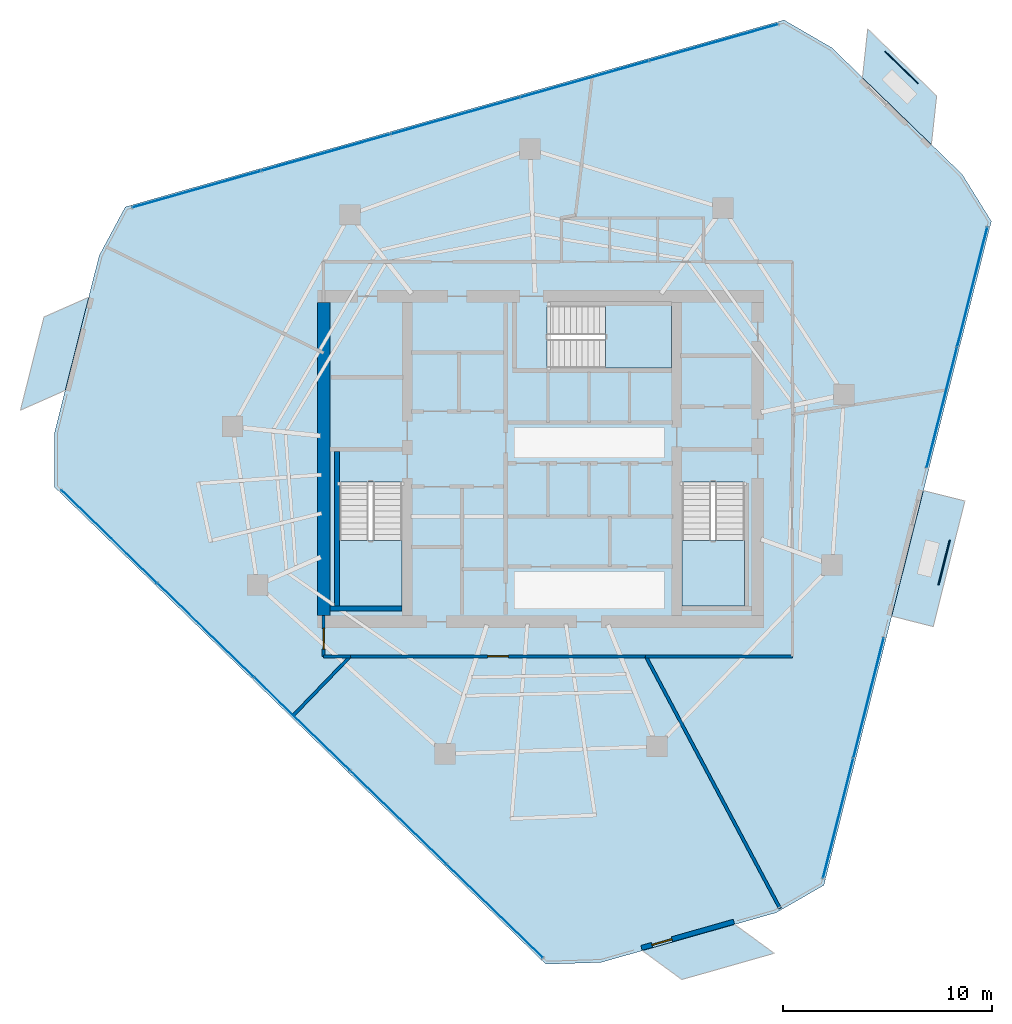
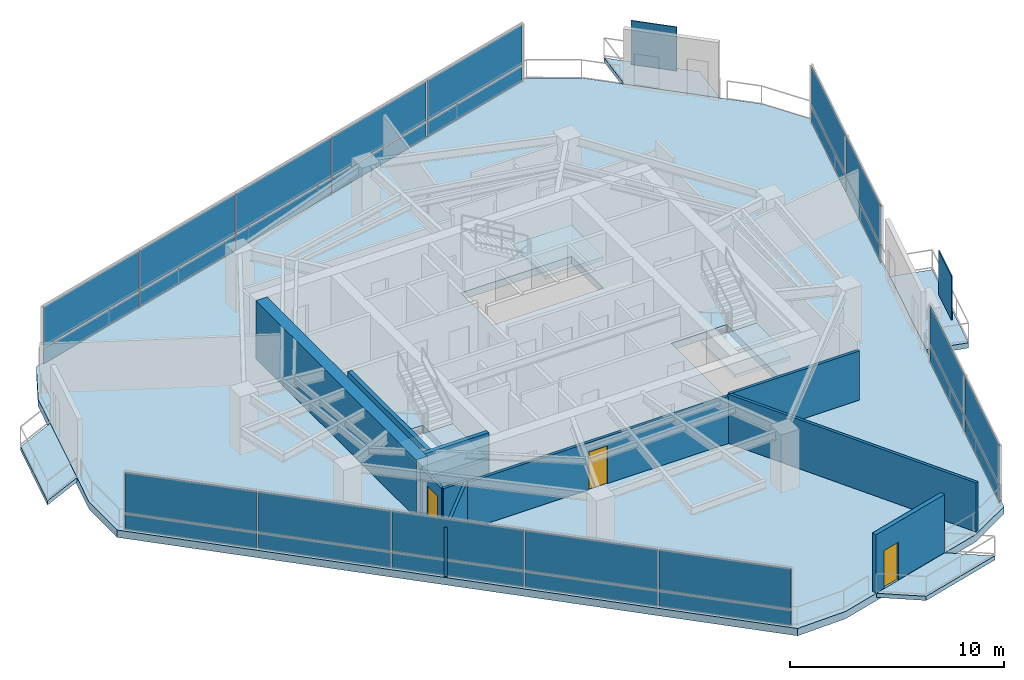
# One storey, part 14 of 19: 30 plates, 10 walls, 8 slabs, 3 doors, 3 openings, 7 elements without a shape of their own.
"""IFC4 building model written with IfcOpenShell, lengths in metres."""

from ifc_helpers import new_model, si_unit, direction, frame, frame_2d, origin, origin_2d, place, context, subcontext, project, spatial, polyline, rectangle, outline, extrude, material, layer, layer_set, type_object, element, fill, aggregate, save


model = new_model("IFC4")

# Units and contexts
model_context = context("Model", 3, precision=1e-05, world=origin(), true_north=direction((0.0, 1.0)))
body_context = subcontext(model_context, "Body", "Model", "MODEL_VIEW")
ifc_project = project(units=[si_unit("LENGTHUNIT", "METRE"), si_unit("AREAUNIT", "SQUARE_METRE"), si_unit("VOLUMEUNIT", "CUBIC_METRE"), si_unit("PLANEANGLEUNIT", "RADIAN"), si_unit("MASSUNIT", "GRAM", prefix="KILO")], contexts=[model_context])

# Site, building, storey
site_placement = place(None, origin())
site = spatial("IfcSite", under=ifc_project, at=site_placement, CompositionType="ELEMENT")
building_placement = place(site_placement, origin())
building = spatial("IfcBuilding", under=site, at=building_placement, Name="Qarnah Convention Tower", CompositionType="ELEMENT")
storey_placement = place(building_placement, frame((0.0, 0.0, 125.699951171875)))
storey = spatial("IfcBuildingStorey", under=building, at=storey_placement, Name="L33", CompositionType="ELEMENT", Elevation=125.699951171875)

# Curtain wall, plates
ifc_material_1 = material(Name="Tempered Low-E dark glass", Category="glass")
ifc_layer_1 = layer(ifc_material_1, 0.172119140625)
ifc_layer_set_1 = layer_set([ifc_layer_1], Name="Tempered Low-E dark glass")
curtain_wall_type = type_object("IfcCurtainWallType", Name="CWS-03", PredefinedType="NOTDEFINED", material=ifc_layer_set_1)
curtain_wall_1_placement = place(storey_placement, origin())
curtain_wall_1 = element("IfcCurtainWall", 1, at=curtain_wall_1_placement, inside=storey, type_object=curtain_wall_type, Name="L33 unitised curtain wall CW-L33-F1", PredefinedType="NOTDEFINED")
ifc_layer_2 = layer(ifc_material_1, 0.031982421875)
ifc_layer_set_2 = layer_set([ifc_layer_2], Name="Tempered Low-E dark glass")
plate_type_1 = type_object("IfcPlateType", Name="PNL-T3", PredefinedType="CURTAIN_PANEL", material=ifc_layer_set_2)
plate_1_placement = place(storey_placement, frame((34.996337890625, 4.743896484375, 0.0400390625), z_axis=(0.0, 0.0, 1.0), x_axis=(-0.717389813993, 0.696671985068, 0.0)))
plate_1 = element("IfcPlate", 2, at=plate_1_placement, type_object=plate_type_1, Name="CW-L33-F1 curtain panel 1.1", PredefinedType="CURTAIN_PANEL", context=body_context, shape_type="SweptSolid", body=[
    extrude(rectangle(XDim=6.35888671875, YDim=0.031982421875, at=origin_2d()), origin(), (0.0, 0.0, 1.0), 0.8701171875),
])
plate_2_placement = place(storey_placement, frame((34.996337890625, 4.743896484375, 0.989990234375), z_axis=(0.0, 0.0, 1.0), x_axis=(-0.717389813993, 0.696671985068, 0.0)))
plate_2 = element("IfcPlate", 3, at=plate_2_placement, type_object=plate_type_1, Name="CW-L33-F1 curtain panel 1.2", PredefinedType="CURTAIN_PANEL", context=body_context, shape_type="SweptSolid", body=[
    extrude(rectangle(XDim=6.35888671875, YDim=0.031982421875, at=origin_2d()), origin(), (0.0, 0.0, 1.0), 2.2900390625),
])
plate_3_placement = place(storey_placement, frame((30.377197265625, 9.229736328125, 0.0400390625), z_axis=(0.0, 0.0, 1.0), x_axis=(-0.717389813993, 0.696671985068, 0.0)))
plate_3 = element("IfcPlate", 4, at=plate_3_placement, type_object=plate_type_1, Name="CW-L33-F1 curtain panel 2.1", PredefinedType="CURTAIN_PANEL", context=body_context, shape_type="SweptSolid", body=[
    extrude(rectangle(XDim=6.35888671875, YDim=0.031982421875, at=origin_2d()), origin(), (0.0, 0.0, 1.0), 0.8701171875),
])
plate_4_placement = place(storey_placement, frame((30.377197265625, 9.229736328125, 0.989990234375), z_axis=(0.0, 0.0, 1.0), x_axis=(-0.717389813993, 0.696671985068, 0.0)))
plate_4 = element("IfcPlate", 5, at=plate_4_placement, type_object=plate_type_1, Name="CW-L33-F1 curtain panel 2.2", PredefinedType="CURTAIN_PANEL", context=body_context, shape_type="SweptSolid", body=[
    extrude(rectangle(XDim=6.35888671875, YDim=0.031982421875, at=origin_2d()), origin(), (0.0, 0.0, 1.0), 2.2900390625),
])
plate_5_placement = place(storey_placement, frame((25.758056640625, 13.715576171875, 0.0400390625), z_axis=(0.0, 0.0, 1.0), x_axis=(-0.717389813993, 0.696671985068, 0.0)))
plate_5 = element("IfcPlate", 6, at=plate_5_placement, type_object=plate_type_1, Name="CW-L33-F1 curtain panel 3.1", PredefinedType="CURTAIN_PANEL", context=body_context, shape_type="SweptSolid", body=[
    extrude(rectangle(XDim=6.35888671875, YDim=0.031982421875, at=origin_2d()), origin(), (0.0, 0.0, 1.0), 0.8701171875),
])
plate_6_placement = place(storey_placement, frame((25.758056640625, 13.715576171875, 0.989990234375), z_axis=(0.0, 0.0, 1.0), x_axis=(-0.717389813993, 0.696671985068, 0.0)))
plate_6 = element("IfcPlate", 7, at=plate_6_placement, type_object=plate_type_1, Name="CW-L33-F1 curtain panel 3.2", PredefinedType="CURTAIN_PANEL", context=body_context, shape_type="SweptSolid", body=[
    extrude(rectangle(XDim=6.35888671875, YDim=0.031982421875, at=origin_2d()), origin(), (0.0, 0.0, 1.0), 2.2900390625),
])
plate_7_placement = place(storey_placement, frame((21.138916015625, 18.201416015625, 0.0400390625), z_axis=(0.0, 0.0, 1.0), x_axis=(-0.717389813993, 0.696671985068, 0.0)))
plate_7 = element("IfcPlate", 8, at=plate_7_placement, type_object=plate_type_1, Name="CW-L33-F1 curtain panel 4.1", PredefinedType="CURTAIN_PANEL", context=body_context, shape_type="SweptSolid", body=[
    extrude(rectangle(XDim=6.35888671875, YDim=0.031982421875, at=origin_2d()), origin(), (0.0, 0.0, 1.0), 0.8701171875),
])
plate_8_placement = place(storey_placement, frame((21.138916015625, 18.201416015625, 0.989990234375), z_axis=(0.0, 0.0, 1.0), x_axis=(-0.717389813993, 0.696671985068, 0.0)))
plate_8 = element("IfcPlate", 9, at=plate_8_placement, type_object=plate_type_1, Name="CW-L33-F1 curtain panel 4.2", PredefinedType="CURTAIN_PANEL", context=body_context, shape_type="SweptSolid", body=[
    extrude(rectangle(XDim=6.35888671875, YDim=0.031982421875, at=origin_2d()), origin(), (0.0, 0.0, 1.0), 2.2900390625),
])
plate_9_placement = place(storey_placement, frame((16.51953125, 22.68701171875, 0.0400390625), z_axis=(0.0, 0.0, 1.0), x_axis=(-0.717389813993, 0.696671985068, 0.0)))
plate_9 = element("IfcPlate", 10, at=plate_9_placement, type_object=plate_type_1, Name="CW-L33-F1 curtain panel 5.1", PredefinedType="CURTAIN_PANEL", context=body_context, shape_type="SweptSolid", body=[
    extrude(rectangle(XDim=6.35888671875, YDim=0.031982421875, at=origin_2d()), origin(), (0.0, 0.0, 1.0), 0.8701171875),
])
plate_10_placement = place(storey_placement, frame((16.51953125, 22.68701171875, 0.989990234375), z_axis=(0.0, 0.0, 1.0), x_axis=(-0.717389813993, 0.696671985068, 0.0)))
plate_10 = element("IfcPlate", 11, at=plate_10_placement, type_object=plate_type_1, Name="CW-L33-F1 curtain panel 5.2", PredefinedType="CURTAIN_PANEL", context=body_context, shape_type="SweptSolid", body=[
    extrude(rectangle(XDim=6.35888671875, YDim=0.031982421875, at=origin_2d()), origin(), (0.0, 0.0, 1.0), 2.2900390625),
])
aggregate(curtain_wall_1, [plate_1, plate_2, plate_3, plate_4, plate_5, plate_6, plate_7, plate_8, plate_9, plate_10])

curtain_wall_2_placement = place(storey_placement, origin())
curtain_wall_2 = element("IfcCurtainWall", 12, at=curtain_wall_2_placement, inside=storey, type_object=curtain_wall_type, Name="L33 unitised curtain wall CW-L33-F2", PredefinedType="NOTDEFINED")
plate_11_placement = place(storey_placement, frame((57.85986328125, 34.63427734375, 0.0400390625), z_axis=(0.0, 0.0, 1.0), x_axis=(-0.24460965951, -0.969621634698, 0.0)))
plate_11 = element("IfcPlate", 13, at=plate_11_placement, type_object=plate_type_1, Name="CW-L33-F2 curtain panel 1.1", PredefinedType="CURTAIN_PANEL", context=body_context, shape_type="SweptSolid", body=[
    extrude(rectangle(XDim=5.874267578125, YDim=0.031982421875, at=origin_2d()), origin(), (0.0, 0.0, 1.0), 0.8701171875),
])
plate_12_placement = place(storey_placement, frame((57.85986328125, 34.63427734375, 0.989990234375), z_axis=(0.0, 0.0, 1.0), x_axis=(-0.24460965951, -0.969621634698, 0.0)))
plate_12 = element("IfcPlate", 14, at=plate_12_placement, type_object=plate_type_1, Name="CW-L33-F2 curtain panel 1.2", PredefinedType="CURTAIN_PANEL", context=body_context, shape_type="SweptSolid", body=[
    extrude(rectangle(XDim=5.874267578125, YDim=0.031982421875, at=origin_2d()), origin(), (0.0, 0.0, 1.0), 2.2900390625),
])
plate_13_placement = place(storey_placement, frame((56.4033203125, 28.86083984375, 0.0400390625), z_axis=(0.0, 0.0, 1.0), x_axis=(-0.24460965951, -0.969621634698, 0.0)))
plate_13 = element("IfcPlate", 15, at=plate_13_placement, type_object=plate_type_1, Name="CW-L33-F2 curtain panel 2.1", PredefinedType="CURTAIN_PANEL", context=body_context, shape_type="SweptSolid", body=[
    extrude(rectangle(XDim=5.874267578125, YDim=0.031982421875, at=origin_2d()), origin(), (0.0, 0.0, 1.0), 0.8701171875),
])
plate_14_placement = place(storey_placement, frame((56.4033203125, 28.86083984375, 0.989990234375), z_axis=(0.0, 0.0, 1.0), x_axis=(-0.24460965951, -0.969621634698, 0.0)))
plate_14 = element("IfcPlate", 16, at=plate_14_placement, type_object=plate_type_1, Name="CW-L33-F2 curtain panel 2.2", PredefinedType="CURTAIN_PANEL", context=body_context, shape_type="SweptSolid", body=[
    extrude(rectangle(XDim=5.874267578125, YDim=0.031982421875, at=origin_2d()), origin(), (0.0, 0.0, 1.0), 2.2900390625),
])
aggregate(curtain_wall_2, [plate_11, plate_12, plate_13, plate_14])

curtain_wall_3_placement = place(storey_placement, origin())
curtain_wall_3 = element("IfcCurtainWall", 17, at=curtain_wall_3_placement, inside=storey, type_object=curtain_wall_type, Name="L33 unitised curtain wall CW-L33-F3", PredefinedType="NOTDEFINED")
plate_15_placement = place(storey_placement, frame((52.897705078125, 14.966064453125, 0.0400390625), z_axis=(0.0, 0.0, 1.0), x_axis=(-0.244589757904, -0.969626655125, 0.0)))
plate_15 = element("IfcPlate", 18, at=plate_15_placement, type_object=plate_type_1, Name="CW-L33-F3 curtain panel 1.1", PredefinedType="CURTAIN_PANEL", context=body_context, shape_type="SweptSolid", body=[
    extrude(rectangle(XDim=5.874755859375, YDim=0.031982421875, at=origin_2d()), origin(), (0.0, 0.0, 1.0), 0.8701171875),
])
plate_16_placement = place(storey_placement, frame((52.897705078125, 14.966064453125, 0.989990234375), z_axis=(0.0, 0.0, 1.0), x_axis=(-0.244589757904, -0.969626655125, 0.0)))
plate_16 = element("IfcPlate", 19, at=plate_16_placement, type_object=plate_type_1, Name="CW-L33-F3 curtain panel 1.2", PredefinedType="CURTAIN_PANEL", context=body_context, shape_type="SweptSolid", body=[
    extrude(rectangle(XDim=5.874755859375, YDim=0.031982421875, at=origin_2d()), origin(), (0.0, 0.0, 1.0), 2.2900390625),
])
plate_17_placement = place(storey_placement, frame((51.441162109375, 9.19189453125, 0.0400390625), z_axis=(0.0, 0.0, 1.0), x_axis=(-0.244589757904, -0.969626655125, 0.0)))
plate_17 = element("IfcPlate", 20, at=plate_17_placement, type_object=plate_type_1, Name="CW-L33-F3 curtain panel 2.1", PredefinedType="CURTAIN_PANEL", context=body_context, shape_type="SweptSolid", body=[
    extrude(rectangle(XDim=5.874755859375, YDim=0.031982421875, at=origin_2d()), origin(), (0.0, 0.0, 1.0), 0.8701171875),
])
plate_18_placement = place(storey_placement, frame((51.441162109375, 9.19189453125, 0.989990234375), z_axis=(0.0, 0.0, 1.0), x_axis=(-0.244589757904, -0.969626655125, 0.0)))
plate_18 = element("IfcPlate", 21, at=plate_18_placement, type_object=plate_type_1, Name="CW-L33-F3 curtain panel 2.2", PredefinedType="CURTAIN_PANEL", context=body_context, shape_type="SweptSolid", body=[
    extrude(rectangle(XDim=5.874755859375, YDim=0.031982421875, at=origin_2d()), origin(), (0.0, 0.0, 1.0), 2.2900390625),
])
aggregate(curtain_wall_3, [plate_15, plate_16, plate_17, plate_18])

curtain_wall_4_placement = place(storey_placement, origin())
curtain_wall_4 = element("IfcCurtainWall", 22, at=curtain_wall_4_placement, inside=storey, type_object=curtain_wall_type, Name="L33 unitised curtain wall CW-L33-F4", PredefinedType="NOTDEFINED")
plate_19_placement = place(storey_placement, frame((20.71630859375, 39.32080078125, 0.0400390625), z_axis=(0.0, 0.0, 1.0), x_axis=(0.962024008053, 0.272964847426, 0.0)))
plate_19 = element("IfcPlate", 23, at=plate_19_placement, type_object=plate_type_1, Name="CW-L33-F4 curtain panel 1.1", PredefinedType="CURTAIN_PANEL", context=body_context, shape_type="SweptSolid", body=[
    extrude(rectangle(XDim=6.35888671875, YDim=0.031982421875, at=origin_2d()), origin(), (0.0, 0.0, 1.0), 0.8701171875),
])
plate_20_placement = place(storey_placement, frame((20.71630859375, 39.32080078125, 0.989990234375), z_axis=(0.0, 0.0, 1.0), x_axis=(0.962024008053, 0.272964847426, 0.0)))
plate_20 = element("IfcPlate", 24, at=plate_20_placement, type_object=plate_type_1, Name="CW-L33-F4 curtain panel 1.2", PredefinedType="CURTAIN_PANEL", context=body_context, shape_type="SweptSolid", body=[
    extrude(rectangle(XDim=6.35888671875, YDim=0.031982421875, at=origin_2d()), origin(), (0.0, 0.0, 1.0), 2.2900390625),
])
plate_21_placement = place(storey_placement, frame((26.91064453125, 41.078369140625, 0.0400390625), z_axis=(0.0, 0.0, 1.0), x_axis=(0.962024008053, 0.272964847426, 0.0)))
plate_21 = element("IfcPlate", 25, at=plate_21_placement, type_object=plate_type_1, Name="CW-L33-F4 curtain panel 2.1", PredefinedType="CURTAIN_PANEL", context=body_context, shape_type="SweptSolid", body=[
    extrude(rectangle(XDim=6.35888671875, YDim=0.031982421875, at=origin_2d()), origin(), (0.0, 0.0, 1.0), 0.8701171875),
])
plate_22_placement = place(storey_placement, frame((26.91064453125, 41.078369140625, 0.989990234375), z_axis=(0.0, 0.0, 1.0), x_axis=(0.962024008053, 0.272964847426, 0.0)))
plate_22 = element("IfcPlate", 26, at=plate_22_placement, type_object=plate_type_1, Name="CW-L33-F4 curtain panel 2.2", PredefinedType="CURTAIN_PANEL", context=body_context, shape_type="SweptSolid", body=[
    extrude(rectangle(XDim=6.35888671875, YDim=0.031982421875, at=origin_2d()), origin(), (0.0, 0.0, 1.0), 2.2900390625),
])
plate_23_placement = place(storey_placement, frame((33.10498046875, 42.8359375, 0.0400390625), z_axis=(0.0, 0.0, 1.0), x_axis=(0.962024008053, 0.272964847426, 0.0)))
plate_23 = element("IfcPlate", 27, at=plate_23_placement, type_object=plate_type_1, Name="CW-L33-F4 curtain panel 3.1", PredefinedType="CURTAIN_PANEL", context=body_context, shape_type="SweptSolid", body=[
    extrude(rectangle(XDim=6.35888671875, YDim=0.031982421875, at=origin_2d()), origin(), (0.0, 0.0, 1.0), 0.8701171875),
])
plate_24_placement = place(storey_placement, frame((33.10498046875, 42.8359375, 0.989990234375), z_axis=(0.0, 0.0, 1.0), x_axis=(0.962024008053, 0.272964847426, 0.0)))
plate_24 = element("IfcPlate", 28, at=plate_24_placement, type_object=plate_type_1, Name="CW-L33-F4 curtain panel 3.2", PredefinedType="CURTAIN_PANEL", context=body_context, shape_type="SweptSolid", body=[
    extrude(rectangle(XDim=6.35888671875, YDim=0.031982421875, at=origin_2d()), origin(), (0.0, 0.0, 1.0), 2.2900390625),
])
plate_25_placement = place(storey_placement, frame((39.29931640625, 44.593505859375, 0.0400390625), z_axis=(0.0, 0.0, 1.0), x_axis=(0.962024008053, 0.272964847426, 0.0)))
plate_25 = element("IfcPlate", 29, at=plate_25_placement, type_object=plate_type_1, Name="CW-L33-F4 curtain panel 4.1", PredefinedType="CURTAIN_PANEL", context=body_context, shape_type="SweptSolid", body=[
    extrude(rectangle(XDim=6.35888671875, YDim=0.031982421875, at=origin_2d()), origin(), (0.0, 0.0, 1.0), 0.8701171875),
])
plate_26_placement = place(storey_placement, frame((39.29931640625, 44.593505859375, 0.989990234375), z_axis=(0.0, 0.0, 1.0), x_axis=(0.962024008053, 0.272964847426, 0.0)))
plate_26 = element("IfcPlate", 30, at=plate_26_placement, type_object=plate_type_1, Name="CW-L33-F4 curtain panel 4.2", PredefinedType="CURTAIN_PANEL", context=body_context, shape_type="SweptSolid", body=[
    extrude(rectangle(XDim=6.35888671875, YDim=0.031982421875, at=origin_2d()), origin(), (0.0, 0.0, 1.0), 2.2900390625),
])
plate_27_placement = place(storey_placement, frame((45.493896484375, 46.351318359375, 0.0400390625), z_axis=(0.0, 0.0, 1.0), x_axis=(0.962024008053, 0.272964847426, 0.0)))
plate_27 = element("IfcPlate", 31, at=plate_27_placement, type_object=plate_type_1, Name="CW-L33-F4 curtain panel 5.1", PredefinedType="CURTAIN_PANEL", context=body_context, shape_type="SweptSolid", body=[
    extrude(rectangle(XDim=6.35888671875, YDim=0.031982421875, at=origin_2d()), origin(), (0.0, 0.0, 1.0), 0.8701171875),
])
plate_28_placement = place(storey_placement, frame((45.493896484375, 46.351318359375, 0.989990234375), z_axis=(0.0, 0.0, 1.0), x_axis=(0.962024008053, 0.272964847426, 0.0)))
plate_28 = element("IfcPlate", 32, at=plate_28_placement, type_object=plate_type_1, Name="CW-L33-F4 curtain panel 5.2", PredefinedType="CURTAIN_PANEL", context=body_context, shape_type="SweptSolid", body=[
    extrude(rectangle(XDim=6.35888671875, YDim=0.031982421875, at=origin_2d()), origin(), (0.0, 0.0, 1.0), 2.2900390625),
])
aggregate(curtain_wall_4, [plate_19, plate_20, plate_21, plate_22, plate_23, plate_24, plate_25, plate_26, plate_27, plate_28])

# Plates
ifc_material_2 = material(Name="Black anodised aluminium", Category="aluminium")
ifc_layer_3 = layer(ifc_material_2, 0.044921875)
ifc_layer_set_3 = layer_set([ifc_layer_3], Name="Black anodised aluminium")
plate_type_2 = type_object("IfcPlateType", Name="SCR-BAL-18", PredefinedType="USERDEFINED", material=ifc_layer_set_3)
plate_29_placement = place(storey_placement, frame((54.48095703125, 45.156005859375, 0.0), z_axis=(0.0, 0.0, 1.0), x_axis=(0.717357019782, -0.696705752932, 0.0)))
element("IfcPlate", 33, at=plate_29_placement, inside=storey, type_object=plate_type_2, Name="L33 perforated desert solar screen BAL-L33-C1", ObjectType="SCREEN", PredefinedType="USERDEFINED", context=body_context, shape_type="SweptSolid", body=[
    extrude(rectangle(XDim=2.199951171875, YDim=0.044921875, at=origin_2d()), origin(), (0.0, 0.0, 1.0), 2.5),
])
ifc_layer_4 = layer(ifc_material_2, 0.054931640625)
ifc_layer_set_4 = layer_set([ifc_layer_4], Name="Black anodised aluminium")
plate_type_3 = type_object("IfcPlateType", Name="SCR-SKG-24", PredefinedType="USERDEFINED", material=ifc_layer_set_4)
plate_30_placement = place(storey_placement, frame((56.51806640625, 21.44189453125, 0.0), z_axis=(0.0, 0.0, 1.0), x_axis=(-0.244698217019, -0.9695992897, 0.0)))
element("IfcPlate", 34, at=plate_30_placement, inside=storey, type_object=plate_type_3, Name="L33 perforated desert solar screen SG-L33", ObjectType="SCREEN", PredefinedType="USERDEFINED", context=body_context, shape_type="SweptSolid", body=[
    extrude(rectangle(XDim=2.199951171875, YDim=0.054931640625, at=origin_2d()), origin(), (0.0, 0.0, 1.0), 2.5),
])

# Slabs
ifc_material_3 = material(Name="Concrete C45/55", Category="concrete")
ifc_layer_5 = layer(ifc_material_3, 0.239990234375)
ifc_layer_set_5 = layer_set([ifc_layer_5], Name="Concrete C45/55")
slab_type_1 = type_object("IfcSlabType", Name="SLB-BAL-240", PredefinedType="USERDEFINED", material=ifc_layer_set_5)
slab_1_placement = place(storey_placement, frame((0.0, 0.0, -0.239990234375)))
element("IfcSlab", 35, at=slab_1_placement, inside=storey, type_object=slab_type_1, Name="L33 cantilevered balcony slab BAL-L33-C1", ObjectType="BALCONY", PredefinedType="USERDEFINED", context=body_context, shape_type="SweptSolid", body=[
    extrude(outline(polyline([(52.85693359375, 46.9970703125), (56.156982421875, 43.7919921875), (55.905029296875, 41.4599609375), (52.60498046875, 44.6650390625), (52.85693359375, 46.9970703125)])), origin(), (0.0, 0.0, 1.0), 0.239990234375),
])
slab_2_placement = place(storey_placement, frame((0.0, 0.0, -0.239990234375)))
element("IfcSlab", 36, at=slab_2_placement, inside=storey, type_object=slab_type_1, Name="L33 cantilevered balcony slab BAL-L33-C2", ObjectType="BALCONY", PredefinedType="USERDEFINED", context=body_context, shape_type="SweptSolid", body=[
    extrude(outline(polyline([(12.279052734375, 28.740966796875), (13.404052734375, 33.200927734375), (15.550048828125, 34.14990234375), (14.425048828125, 29.68896484375), (12.279052734375, 28.740966796875)])), origin(), (0.0, 0.0, 1.0), 0.239990234375),
])
slab_3_placement = place(storey_placement, frame((0.0, 0.0, -0.239990234375)))
element("IfcSlab", 37, at=slab_3_placement, inside=storey, type_object=slab_type_1, Name="L33 cantilevered balcony slab BAL-L33-C3", ObjectType="BALCONY", PredefinedType="USERDEFINED", context=body_context, shape_type="SweptSolid", body=[
    extrude(outline(polyline([(48.3779296875, 2.72705078125), (43.952880859375, 1.471923828125), (42.05908203125, 2.85595703125), (46.48291015625, 4.112060546875), (48.3779296875, 2.72705078125)])), origin(), (0.0, 0.0, 1.0), 0.239990234375),
])

# Stair, slab
ifc_material_4 = material(Name="Concrete C50/60", Category="concrete")
stair_type = type_object("IfcStairType", Name="STR-OFF", PredefinedType="HALF_TURN_STAIR", material=ifc_material_4)
stair_1_placement = place(storey_placement, origin())
stair_1 = element("IfcStair", 38, at=stair_1_placement, inside=storey, type_object=stair_type, Name="L33 Core exit stair ST-1", PredefinedType="HALF_TURN_STAIR")
ifc_layer_6 = layer(ifc_material_4, 0.199951171875)
ifc_layer_set_6 = layer_set([ifc_layer_6], Name="Concrete C50/60")
slab_type_2 = type_object("IfcSlabType", Name="SLB-LANDING-200", PredefinedType="LANDING", material=ifc_layer_set_6)
slab_4_placement = place(storey_placement, frame((0.0, 0.0, 1.60009765625)))
slab_4 = element("IfcSlab", 39, at=slab_4_placement, type_object=slab_type_2, Name="ST-1 landing 1", PredefinedType="LANDING", context=body_context, shape_type="SweptSolid", body=[
    extrude(outline(polyline([(27.550048828125, 22.5), (27.550048828125, 19.35009765625), (30.550048828125, 19.35009765625), (30.550048828125, 22.5), (27.550048828125, 22.5)])), origin(), (0.0, 0.0, 1.0), 0.199951171875),
])
aggregate(stair_1, [slab_4])

stair_2_placement = place(storey_placement, origin())
stair_2 = element("IfcStair", 40, at=stair_2_placement, inside=storey, type_object=stair_type, Name="L33 Core exit stair ST-2", PredefinedType="HALF_TURN_STAIR")
slab_5_placement = place(storey_placement, frame((0.0, 0.0, 1.60009765625)))
slab_5 = element("IfcSlab", 41, at=slab_5_placement, type_object=slab_type_2, Name="ST-2 landing 1", PredefinedType="LANDING", context=body_context, shape_type="SweptSolid", body=[
    extrude(outline(polyline([(43.949951171875, 22.5), (43.949951171875, 19.35009765625), (46.949951171875, 19.35009765625), (46.949951171875, 22.5), (43.949951171875, 22.5)])), origin(), (0.0, 0.0, 1.0), 0.199951171875),
])
aggregate(stair_2, [slab_5])

stair_3_placement = place(storey_placement, origin())
stair_3 = element("IfcStair", 42, at=stair_3_placement, inside=storey, type_object=stair_type, Name="L33 Core exit stair ST-3", PredefinedType="HALF_TURN_STAIR")
slab_6_placement = place(storey_placement, frame((0.0, 0.0, 1.60009765625)))
slab_6 = element("IfcSlab", 43, at=slab_6_placement, type_object=slab_type_2, Name="ST-3 landing 1", PredefinedType="LANDING", context=body_context, shape_type="SweptSolid", body=[
    extrude(outline(polyline([(40.300048828125, 30.75), (43.449951171875, 30.75), (43.449951171875, 33.75), (40.300048828125, 33.75), (40.300048828125, 30.75)])), origin(), (0.0, 0.0, 1.0), 0.199951171875),
])
aggregate(stair_3, [slab_6])

# Slabs
ifc_layer_7 = layer(ifc_material_4, 0.300048828125)
ifc_layer_set_7 = layer_set([ifc_layer_7], Name="Concrete C50/60")
slab_type_3 = type_object("IfcSlabType", Name="SLB-SKG-300", PredefinedType="USERDEFINED", material=ifc_layer_set_7)
slab_7_placement = place(storey_placement, frame((0.0, 0.0, -0.300048828125)))
element("IfcSlab", 44, at=slab_7_placement, inside=storey, type_object=slab_type_3, Name="L33 cantilevered balcony slab SG-L33", ObjectType="BALCONY", PredefinedType="USERDEFINED", context=body_context, shape_type="SweptSolid", body=[
    extrude(outline(polyline([(54.490966796875, 20.805908203125), (55.52099609375, 24.89111328125), (57.509033203125, 24.388916015625), (55.991943359375, 18.3779296875), (54.0048828125, 18.87890625), (54.490966796875, 20.805908203125)])), origin(), (0.0, 0.0, 1.0), 0.300048828125),
])
ifc_layer_8 = layer(ifc_material_4, 0.419921875)
ifc_layer_set_8 = layer_set([ifc_layer_8], Name="Concrete C50/60")
slab_type_4 = type_object("IfcSlabType", Name="SLB-TRF-420", PredefinedType="FLOOR", material=ifc_layer_set_8)
slab_8_placement = place(storey_placement, frame((0.0, 0.0, -0.419921875)))
element("IfcSlab", 45, at=slab_8_placement, inside=storey, type_object=slab_type_4, Name="L33 structural floor slab", PredefinedType="FLOOR", context=body_context, shape_type="SweptSolid", body=[
    extrude(outline(polyline([(48.846923828125, 47.427001953125), (17.298095703125, 38.47607421875), (16.049072265625, 36.14404296875), (13.91796875, 27.697998046875), (13.910888671875, 25.052978515625), (37.43798828125, 2.2060546875), (40.0810546875, 2.291015625), (48.4619140625, 4.6689453125), (50.756103515625, 5.985107421875), (58.778076171875, 37.782958984375), (57.383056640625, 40.030029296875), (51.134033203125, 46.09912109375), (48.846923828125, 47.427001953125)]), holes=[polyline([(27.550048828125, 25.300048828125), (27.550048828125, 19.35009765625), (30.550048828125, 19.35009765625), (30.550048828125, 25.300048828125), (27.550048828125, 25.300048828125)]), polyline([(43.949951171875, 25.300048828125), (43.949951171875, 19.35009765625), (46.949951171875, 19.35009765625), (46.949951171875, 25.300048828125), (43.949951171875, 25.300048828125)]), polyline([(37.5, 30.75), (43.449951171875, 30.75), (43.449951171875, 33.75), (37.5, 33.75), (37.5, 30.75)])]), origin(), (0.0, 0.0, 1.0), 0.419921875),
])

# Walls
ifc_material_5 = material(Name="Concrete C60/75", Category="concrete")
ifc_layer_9 = layer(ifc_material_5, 0.60009765625)
ifc_layer_set_9 = layer_set([ifc_layer_9], Name="Concrete C60/75")
wall_type_1 = type_object("IfcWallType", Name="WL-CORE-600", PredefinedType="SHEAR", material=ifc_layer_set_9)
wall_1_placement = place(storey_placement, frame((26.800048828125, 18.89990234375, 0.0), z_axis=(0.0, 0.0, 1.0), x_axis=(0.0, 1.0, 0.0)))
element("IfcWall", 46, at=wall_1_placement, inside=storey, type_object=wall_type_1, Name="L33 core west shear wall", PredefinedType="SHEAR", context=body_context, shape_type="SweptSolid", body=[
    extrude(rectangle(XDim=15.0, YDim=0.60009765625, at=frame_2d((7.5, 0.0))), origin(), (0.0, 0.0, 1.0), 3.320068359375),
])
ifc_layer_10 = layer(ifc_material_5, 0.219970703125)
ifc_layer_set_10 = layer_set([ifc_layer_10], Name="Concrete C60/75")
wall_type_2 = type_object("IfcWallType", Name="WL-CORE-STAIR-220", PredefinedType="SHEAR", material=ifc_layer_set_10)
wall_2_placement = place(storey_placement, frame((27.43994140625, 19.35009765625, 0.0), z_axis=(0.0, 0.0, 1.0), x_axis=(0.0, 1.0, 0.0)))
element("IfcWall", 47, at=wall_2_placement, inside=storey, type_object=wall_type_2, Name="L33 stair shaft shear wall SW-L33-ST1W", PredefinedType="SHEAR", context=body_context, shape_type="SweptSolid", body=[
    extrude(rectangle(XDim=7.39990234375, YDim=0.219970703125, at=frame_2d((3.699951171875, 0.0))), origin(), (0.0, 0.0, 1.0), 3.320068359375),
])
wall_3_placement = place(storey_placement, frame((27.10009765625, 19.239990234375, 0.0), z_axis=(0.0, 0.0, 1.0), x_axis=(1.0, 0.0, 0.0)))
element("IfcWall", 48, at=wall_3_placement, inside=storey, type_object=wall_type_2, Name="L33 stair shaft shear wall SW-L33-ST1S", PredefinedType="SHEAR", context=body_context, shape_type="SweptSolid", body=[
    extrude(rectangle(XDim=3.449951171875, YDim=0.219970703125, at=frame_2d((1.72509765625, 0.0))), origin(), (0.0, 0.0, 1.0), 3.320068359375),
])

# Wall, opening, door
ifc_material_6 = material(Name="Precast concrete C45/55", Category="concrete")
ifc_layer_11 = layer(ifc_material_6, 0.239990234375)
ifc_layer_set_11 = layer_set([ifc_layer_11], Name="Precast concrete C45/55")
wall_type_3 = type_object("IfcWallType", Name="WL-EXT-BAL-240", PredefinedType="SOLIDWALL", material=ifc_layer_set_11)
wall_4_placement = place(storey_placement, frame((46.446044921875, 4.241943359375, 0.0), z_axis=(0.0, 0.0, 1.0), x_axis=(-0.962062892843, -0.272827766577, 0.0)))
wall_4 = element("IfcWall", 49, at=wall_4_placement, inside=storey, type_object=wall_type_3, Name="L33 loggia threshold wall BAL-L33-C3", PredefinedType="SOLIDWALL", context=body_context, shape_type="SweptSolid", body=[
    extrude(rectangle(XDim=4.599609375, YDim=0.239990234375, at=frame_2d((2.2998046875, 0.0))), origin(), (0.0, 0.0, 1.0), 3.320068359375),
])
opening_1_placement = place(wall_4_placement, frame((3.080078125, 0.0, 0.0)))
opening_1 = element("IfcOpeningElement", 50, at=opening_1_placement, cuts=wall_4, Name="Opening BD-3303", PredefinedType="OPENING", context=body_context, shape_type="SweptSolid", body=[
    extrude(rectangle(XDim=1.0, YDim=2.14990234375, at=frame_2d((0.5, 1.074951171875))), frame((0.0, 0.1298828125, 0.0), z_axis=(0.0, -1.0, 0.0), x_axis=(1.0, 0.0, 0.0)), (0.0, 0.0, 1.0), 0.260009765625),
])
door_type_1 = type_object("IfcDoorType", Name="DT-BAL-1000", OperationType="NOTDEFINED", PredefinedType="DOOR", material=ifc_material_2)
door_1_placement = place(opening_1_placement, origin())
door_1 = element("IfcDoor", 51, at=door_1_placement, inside=storey, type_object=door_type_1, Name="L33 balcony terrace door BAL-L33-C3", OperationType="SINGLE_SWING_LEFT", OverallHeight=2.14990234375, OverallWidth=1.0, PredefinedType="DOOR", context=body_context, shape_type="SweptSolid", body=[
    extrude(rectangle(XDim=1.0, YDim=2.14990234375, at=frame_2d((0.5, 1.074951171875))), frame((0.0, 0.02490234375, 0.0), z_axis=(0.0, -1.0, 0.0), x_axis=(1.0, 0.0, 0.0)), (0.0, 0.0, 1.0), 0.050048828125),
])
fill(opening_1, door_1)

# Walls
ifc_material_7 = material(Name="Gypsum partition board")
ifc_layer_12 = layer(ifc_material_7, 0.14990234375)
ifc_layer_set_12 = layer_set([ifc_layer_12], Name="Gypsum partition board")
wall_type_4 = type_object("IfcWallType", Name="WL-SUITE-150", PredefinedType="PARTITIONING", material=ifc_layer_set_12)
wall_5_placement = place(storey_placement, frame((25.31298828125, 14.092041015625, 0.0), z_axis=(0.0, 0.0, 1.0), x_axis=(0.694806096169, 0.719197113958, 0.0)))
element("IfcWall", 52, at=wall_5_placement, inside=storey, type_object=wall_type_4, Name="L33 interior wall IW-L33-R-21", PredefinedType="PARTITIONING", context=body_context, shape_type="SweptSolid", body=[
    extrude(rectangle(XDim=3.9736328125, YDim=0.14990234375, at=frame_2d((1.98681640625, 0.0))), origin(), (0.0, 0.0, 1.0), 2.804931640625),
])
wall_6_placement = place(storey_placement, frame((28.073974609375, 16.949951171875, 0.0), z_axis=(0.0, 0.0, 1.0), x_axis=(-1.0, 0.0, 0.0)))
element("IfcWall", 53, at=wall_6_placement, inside=storey, type_object=wall_type_4, Name="L33 interior wall IW-L33-R-22", PredefinedType="PARTITIONING", context=body_context, shape_type="SweptSolid", body=[
    extrude(rectangle(XDim=1.27392578125, YDim=0.14990234375, at=frame_2d((0.636962890625, 0.0))), origin(), (0.0, 0.0, 1.0), 2.804931640625),
])

# Wall, opening, door
wall_7_placement = place(storey_placement, frame((26.800048828125, 16.949951171875, 0.0), z_axis=(0.0, 0.0, 1.0), x_axis=(0.0, 1.0, 0.0)))
wall_7 = element("IfcWall", 54, at=wall_7_placement, inside=storey, type_object=wall_type_4, Name="L33 interior wall IW-L33-R-23", PredefinedType="PARTITIONING", context=body_context, shape_type="SweptSolid", body=[
    extrude(rectangle(XDim=1.949951171875, YDim=0.14990234375, at=frame_2d((0.97509765625, 0.0))), origin(), (0.0, 0.0, 1.0), 2.804931640625),
])
opening_2_placement = place(wall_7_placement, frame((0.341064453125, 0.0, 0.0)))
opening_2 = element("IfcOpeningElement", 55, at=opening_2_placement, cuts=wall_7, Name="Opening D-3323", PredefinedType="OPENING", context=body_context, shape_type="SweptSolid", body=[
    extrude(rectangle(XDim=1.0, YDim=2.14990234375, at=frame_2d((0.5, 1.074951171875))), frame((0.0, 0.0849609375, 0.0), z_axis=(0.0, -1.0, 0.0), x_axis=(1.0, 0.0, 0.0)), (0.0, 0.0, 1.0), 0.169921875),
])
ifc_material_8 = material(Name="Oak timber veneer", Category="wood")
door_type_2 = type_object("IfcDoorType", Name="DT-OFFICE-1000", OperationType="NOTDEFINED", PredefinedType="DOOR", material=ifc_material_8)
door_2_placement = place(opening_2_placement, origin())
door_2 = element("IfcDoor", 56, at=door_2_placement, inside=storey, type_object=door_type_2, Name="Door D-3323", OperationType="SINGLE_SWING_LEFT", OverallHeight=2.14990234375, OverallWidth=1.0, PredefinedType="DOOR", context=body_context, shape_type="SweptSolid", body=[
    extrude(rectangle(XDim=1.0, YDim=2.14990234375, at=frame_2d((0.5, 1.074951171875))), frame((0.0, 0.02490234375, 0.0), z_axis=(0.0, -1.0, 0.0), x_axis=(1.0, 0.0, 0.0)), (0.0, 0.0, 1.0), 0.050048828125),
])
fill(opening_2, door_2)

# Wall
wall_8_placement = place(storey_placement, frame((48.656982421875, 4.873046875, 0.0), z_axis=(0.0, 0.0, 1.0), x_axis=(-0.470068613312, 0.882629876437, 0.0)))
element("IfcWall", 57, at=wall_8_placement, inside=storey, type_object=wall_type_4, Name="L33 interior wall IW-L33-R-24", PredefinedType="PARTITIONING", context=body_context, shape_type="SweptSolid", body=[
    extrude(rectangle(XDim=13.682861328125, YDim=0.14990234375, at=frame_2d((6.84130859375, 0.0))), origin(), (0.0, 0.0, 1.0), 2.804931640625),
])

# Wall, opening, door
wall_9_placement = place(storey_placement, frame((42.22509765625, 16.949951171875, 0.0), z_axis=(0.0, 0.0, 1.0), x_axis=(-1.0, 0.0, 0.0)))
wall_9 = element("IfcWall", 58, at=wall_9_placement, inside=storey, type_object=wall_type_4, Name="L33 interior wall IW-L33-R-25", PredefinedType="PARTITIONING", context=body_context, shape_type="SweptSolid", body=[
    extrude(rectangle(XDim=14.151123046875, YDim=0.14990234375, at=frame_2d((7.07568359375, 0.0))), origin(), (0.0, 0.0, 1.0), 2.68701171875),
])
opening_3_placement = place(wall_9_placement, frame((6.575927734375, 0.0, 0.0)))
opening_3 = element("IfcOpeningElement", 59, at=opening_3_placement, cuts=wall_9, Name="Opening D-3324", PredefinedType="OPENING", context=body_context, shape_type="SweptSolid", body=[
    extrude(rectangle(XDim=1.0, YDim=2.14990234375, at=frame_2d((0.5, 1.074951171875))), frame((0.0, 0.0849609375, 0.0), z_axis=(0.0, -1.0, 0.0), x_axis=(1.0, 0.0, 0.0)), (0.0, 0.0, 1.0), 0.169921875),
])
door_3_placement = place(opening_3_placement, origin())
door_3 = element("IfcDoor", 60, at=door_3_placement, inside=storey, type_object=door_type_2, Name="Door D-3324", OperationType="SINGLE_SWING_RIGHT", OverallHeight=2.14990234375, OverallWidth=1.0, PredefinedType="DOOR", context=body_context, shape_type="SweptSolid", body=[
    extrude(rectangle(XDim=1.0, YDim=2.14990234375, at=frame_2d((0.5, 1.074951171875))), frame((0.0, 0.02490234375, 0.0), z_axis=(0.0, -1.0, 0.0), x_axis=(1.0, 0.0, 0.0)), (0.0, 0.0, 1.0), 0.050048828125),
])
fill(opening_3, door_3)

# Wall
wall_10_placement = place(storey_placement, frame((49.25, 16.949951171875, 0.0), z_axis=(0.0, 0.0, 1.0), x_axis=(-1.0, 0.0, 0.0)))
element("IfcWall", 61, at=wall_10_placement, inside=storey, type_object=wall_type_4, Name="L33 interior wall IW-L33-R-28", PredefinedType="PARTITIONING", context=body_context, shape_type="SweptSolid", body=[
    extrude(rectangle(XDim=7.02490234375, YDim=0.14990234375, at=frame_2d((3.512451171875, 0.0))), origin(), (0.0, 0.0, 1.0), 2.804931640625),
])

save(model, "model.ifc")
